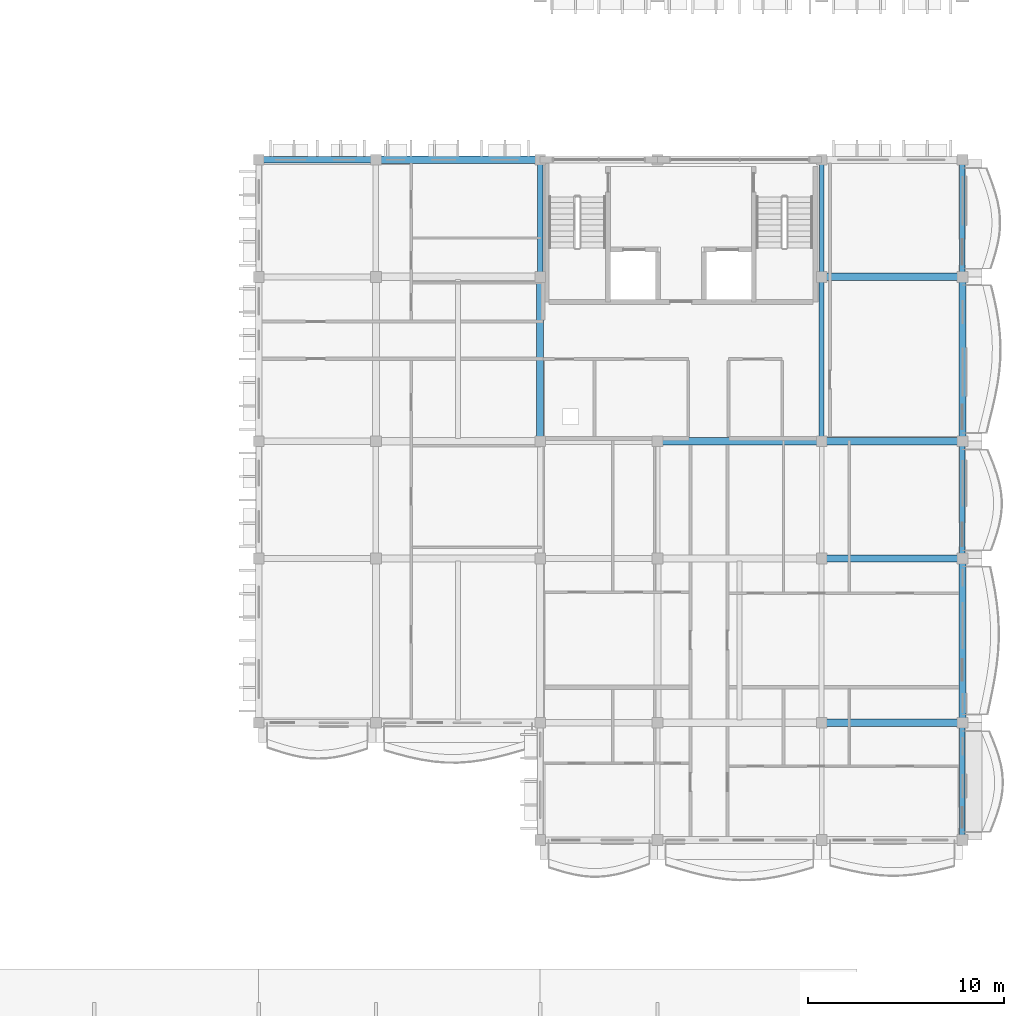
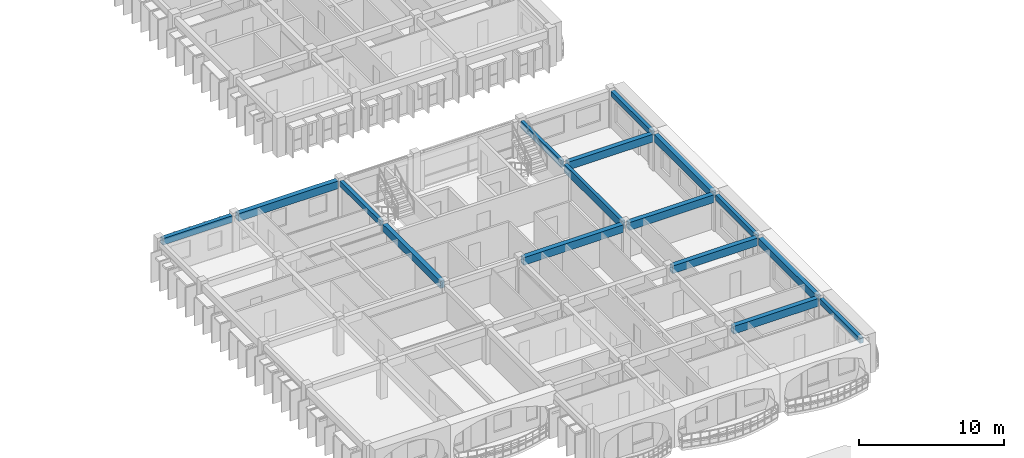
# One storey, part 28 of 101: 16 beams.
"""IFC4 building model written with IfcOpenShell, lengths in metres."""

from ifc_helpers import new_model, si_unit, direction, frame, origin, origin_2d, place, context, subcontext, project, spatial, rectangle, extrude, material, material_profile, profile_set, type_object, element, save


model = new_model("IFC4")

# Units and contexts
model_context = context("Model", 3, precision=1e-05, world=origin(), true_north=direction((0.0, 1.0)))
body_context = subcontext(model_context, "Body", "Model", "MODEL_VIEW")
ifc_project = project(units=[si_unit("LENGTHUNIT", "METRE"), si_unit("AREAUNIT", "SQUARE_METRE"), si_unit("VOLUMEUNIT", "CUBIC_METRE"), si_unit("PLANEANGLEUNIT", "RADIAN"), si_unit("MASSUNIT", "GRAM", prefix="KILO"), si_unit("THERMODYNAMICTEMPERATUREUNIT", "KELVIN")], contexts=[model_context])

# Site, building, storey
site_placement = place(None, origin())
site = spatial("IfcSite", under=ifc_project, at=site_placement, CompositionType="ELEMENT")
building_placement = place(site_placement, origin())
building = spatial("IfcBuilding", under=site, at=building_placement, Name="Thalorik Housing Commons", CompositionType="ELEMENT")
storey_placement = place(building_placement, frame((0.0, 0.0, 8.10009765625)))
storey = spatial("IfcBuildingStorey", under=building, at=storey_placement, Name="L02", CompositionType="ELEMENT", Elevation=8.10009765625)

# Beams
ifc_material = material(Name="Precast concrete C40/50", Category="concrete")
ifc_material_profile_1 = material_profile(ifc_material, rectangle(XDim=0.280029296875, YDim=0.449951171875, at=origin_2d()), Name="PC 280x450", Category="concrete")
ifc_profile_set_1 = profile_set([ifc_material_profile_1], Name="Precast concrete C40/50")
beam_type_1 = type_object("IfcBeamType", Name="STR-BM-PC280x450", PredefinedType="BEAM", material=ifc_profile_set_1)
beam_1_placement = place(storey_placement, frame((152.39990234375, 66.22509765625, 2.81494140625), z_axis=(0.0, 1.0, 0.0), x_axis=(-1.0, 0.0, 0.0)))
element("IfcBeam", 1, at=beam_1_placement, inside=storey, type_object=beam_type_1, Name="L02 Beam B-450", PredefinedType="BEAM", context=body_context, shape_type="SweptSolid", body=[
    extrude(rectangle(XDim=0.280029296875, YDim=0.449951171875, at=origin_2d()), origin(), (0.0, 0.0, 1.0), 5.5498046875),
])
for number, where, z_axis, x_axis, name in (
    (2, (174.0, 37.425048828125, 2.81494140625), (0.0, 1.0, 0.0), (-1.0, 0.0, 0.0), "L02 Beam B-450"),
    (3, (174.0, 51.824951171875, 2.81494140625), (0.0, 1.0, 0.0), (-1.0, 0.0, 0.0), "L02 Beam B-450"),
):
    element("IfcBeam", number, at=place(storey_placement, frame(where, z_axis=z_axis, x_axis=x_axis)), inside=storey, type_object=beam_type_1, Name=name, PredefinedType="BEAM", context=body_context, shape_type="SweptSolid", body=[
        extrude(rectangle(XDim=0.280029296875, YDim=0.449951171875, at=origin_2d()), origin(), (0.0, 0.0, 1.0), 5.550048828125),
    ])
beam_2_placement = place(storey_placement, frame((174.0, 66.22509765625, 2.81494140625), z_axis=(0.0, 1.0, 0.0), x_axis=(-1.0, 0.0, 0.0)))
element("IfcBeam", 4, at=beam_2_placement, inside=storey, type_object=beam_type_1, Name="L02 Beam B-450", PredefinedType="BEAM", context=body_context, shape_type="SweptSolid", body=[
    extrude(rectangle(XDim=0.280029296875, YDim=0.449951171875, at=origin_2d()), origin(), (0.0, 0.0, 1.0), 5.5498046875),
])
ifc_material_profile_2 = material_profile(ifc_material, rectangle(XDim=0.320068359375, YDim=0.550048828125, at=origin_2d()), Name="PC 320x550", Category="concrete")
ifc_profile_set_2 = profile_set([ifc_material_profile_2], Name="Precast concrete C40/50")
beam_type_2 = type_object("IfcBeamType", Name="STR-BM-PC320x550", PredefinedType="BEAM", material=ifc_profile_set_2)
beam_3_placement = place(storey_placement, frame((138.22509765625, 72.0, 2.764892578125), z_axis=(1.0, 0.0, 0.0), x_axis=(0.0, 1.0, 0.0)))
element("IfcBeam", 5, at=beam_3_placement, inside=storey, type_object=beam_type_2, Name="L02 Beam B-550", PredefinedType="BEAM", context=body_context, shape_type="SweptSolid", body=[
    extrude(rectangle(XDim=0.320068359375, YDim=0.550048828125, at=origin_2d()), origin(), (0.0, 0.0, 1.0), 5.5498046875),
])
ifc_material_profile_3 = material_profile(ifc_material, rectangle(XDim=0.35009765625, YDim=0.60009765625, at=origin_2d()), Name="PC 350x600", Category="concrete")
ifc_profile_set_3 = profile_set([ifc_material_profile_3], Name="Precast concrete C40/50")
beam_type_3 = type_object("IfcBeamType", Name="STR-BM-PC350x600", PredefinedType="BEAM", material=ifc_profile_set_3)
for number, where, z_axis, x_axis, name in (
    (6, (152.39990234375, 57.824951171875, 2.739990234375), (0.0, 1.0, 0.0), (-1.0, 0.0, 0.0), "L02 Beam B-600"),
    (7, (174.0, 43.425048828125, 2.739990234375), (0.0, 1.0, 0.0), (-1.0, 0.0, 0.0), "L02 Beam B-600"),
    (8, (174.0, 57.824951171875, 2.739990234375), (0.0, 1.0, 0.0), (-1.0, 0.0, 0.0), "L02 Beam B-600"),
):
    element("IfcBeam", number, at=place(storey_placement, frame(where, z_axis=z_axis, x_axis=x_axis)), inside=storey, type_object=beam_type_3, Name=name, PredefinedType="BEAM", context=body_context, shape_type="SweptSolid", body=[
        extrude(rectangle(XDim=0.35009765625, YDim=0.60009765625, at=origin_2d()), origin(), (0.0, 0.0, 1.0), 7.949951171875),
    ])
ifc_material_profile_4 = material_profile(ifc_material, rectangle(XDim=0.3798828125, YDim=0.64990234375, at=origin_2d()), Name="PC 380x650", Category="concrete")
ifc_profile_set_4 = profile_set([ifc_material_profile_4], Name="Precast concrete C40/50")
beam_type_4 = type_object("IfcBeamType", Name="STR-BM-PC380x650", PredefinedType="BEAM", material=ifc_profile_set_4)
for number, where, z_axis, x_axis, name in (
    (9, (167.02490234375, 43.199951171875, 2.71484375), (1.0, 0.0, 0.0), (0.0, 1.0, 0.0), "L02 Beam B-650"),
    (10, (167.02490234375, 51.60009765625, 2.71484375), (1.0, 0.0, 0.0), (0.0, 1.0, 0.0), "L02 Beam B-650"),
):
    element("IfcBeam", number, at=place(storey_placement, frame(where, z_axis=z_axis, x_axis=x_axis)), inside=storey, type_object=beam_type_4, Name=name, PredefinedType="BEAM", context=body_context, shape_type="SweptSolid", body=[
        extrude(rectangle(XDim=0.3798828125, YDim=0.64990234375, at=origin_2d()), origin(), (0.0, 0.0, 1.0), 6.75),
    ])
beam_4_placement = place(storey_placement, frame((158.625, 57.60009765625, 2.71484375), z_axis=(1.0, 0.0, 0.0), x_axis=(0.0, 1.0, 0.0)))
element("IfcBeam", 11, at=beam_4_placement, inside=storey, type_object=beam_type_4, Name="L02 Beam B-650", PredefinedType="BEAM", context=body_context, shape_type="SweptSolid", body=[
    extrude(rectangle(XDim=0.3798828125, YDim=0.64990234375, at=origin_2d()), origin(), (0.0, 0.0, 1.0), 7.949951171875),
])
for number, where, z_axis, x_axis, name in (
    (12, (167.02490234375, 57.60009765625, 2.71484375), (1.0, 0.0, 0.0), (0.0, 1.0, 0.0), "L02 Beam B-650"),
    (13, (167.02490234375, 66.0, 2.71484375), (1.0, 0.0, 0.0), (0.0, 1.0, 0.0), "L02 Beam B-650"),
):
    element("IfcBeam", number, at=place(storey_placement, frame(where, z_axis=z_axis, x_axis=x_axis)), inside=storey, type_object=beam_type_4, Name=name, PredefinedType="BEAM", context=body_context, shape_type="SweptSolid", body=[
        extrude(rectangle(XDim=0.3798828125, YDim=0.64990234375, at=origin_2d()), origin(), (0.0, 0.0, 1.0), 6.75),
    ])
beam_5_placement = place(storey_placement, frame((144.22509765625, 72.0, 2.71484375), z_axis=(1.0, 0.0, 0.0), x_axis=(0.0, 1.0, 0.0)))
element("IfcBeam", 14, at=beam_5_placement, inside=storey, type_object=beam_type_4, Name="L02 Beam B-650", PredefinedType="BEAM", context=body_context, shape_type="SweptSolid", body=[
    extrude(rectangle(XDim=0.3798828125, YDim=0.64990234375, at=origin_2d()), origin(), (0.0, 0.0, 1.0), 7.949951171875),
])
ifc_material_profile_5 = material_profile(ifc_material, rectangle(XDim=0.239990234375, YDim=0.580078125, at=origin_2d()), Name="PC SP 240x580", Category="concrete")
ifc_profile_set_5 = profile_set([ifc_material_profile_5], Name="Precast concrete C40/50")
beam_type_5 = type_object("IfcBeamType", Name="STR-SP-PC240x580", PredefinedType="SPANDREL", material=ifc_profile_set_5)
beam_6_placement = place(storey_placement, frame((166.800048828125, 66.22509765625, 2.75), z_axis=(0.0, 1.0, 0.0), x_axis=(-1.0, 0.0, 0.0)))
element("IfcBeam", 15, at=beam_6_placement, inside=storey, type_object=beam_type_5, Name="L02 Beam B-450", PredefinedType="SPANDREL", context=body_context, shape_type="SweptSolid", body=[
    extrude(rectangle(XDim=0.239990234375, YDim=0.580078125, at=origin_2d()), origin(), (0.0, 0.0, 1.0), 5.5498046875),
])
ifc_material_profile_6 = material_profile(ifc_material, rectangle(XDim=0.260009765625, YDim=0.679931640625, at=origin_2d()), Name="PC SP 260x680", Category="concrete")
ifc_profile_set_6 = profile_set([ifc_material_profile_6], Name="Precast concrete C40/50")
beam_type_6 = type_object("IfcBeamType", Name="STR-SP-PC260x680", PredefinedType="SPANDREL", material=ifc_profile_set_6)
beam_7_placement = place(storey_placement, frame((166.800048828125, 57.824951171875, 2.699951171875), z_axis=(0.0, 1.0, 0.0), x_axis=(-1.0, 0.0, 0.0)))
element("IfcBeam", 16, at=beam_7_placement, inside=storey, type_object=beam_type_6, Name="L02 Beam B-600", PredefinedType="SPANDREL", context=body_context, shape_type="SweptSolid", body=[
    extrude(rectangle(XDim=0.260009765625, YDim=0.679931640625, at=origin_2d()), origin(), (0.0, 0.0, 1.0), 7.949951171875),
])

save(model, "model.ifc")
